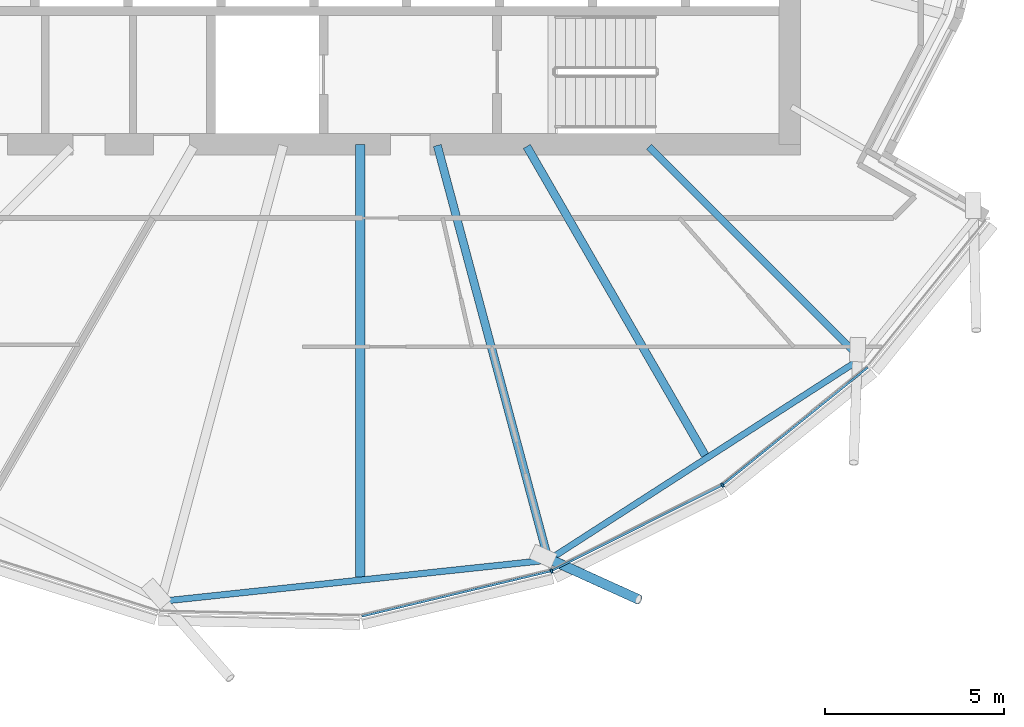
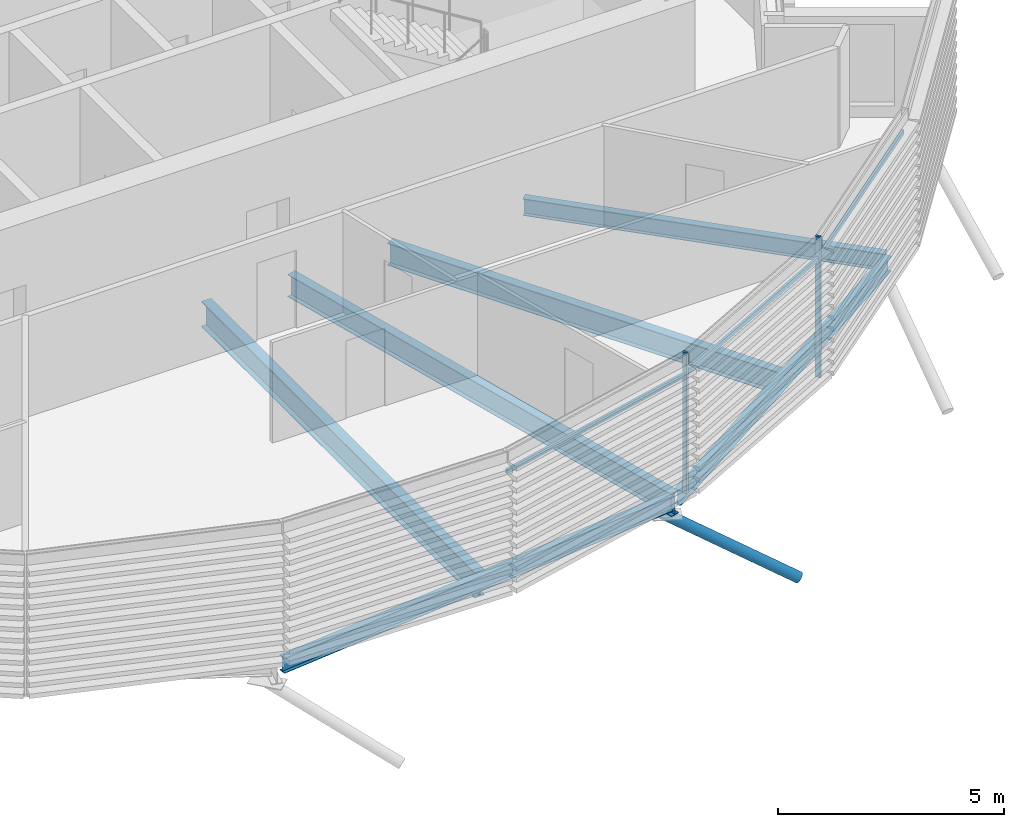
# One storey, part 13 of 37: 6 beams, 6 members, 1 element without a shape of its own.
"""IFC4 building model written with IfcOpenShell, lengths in metres."""

import ifcopenshell
import ifcopenshell.guid

model = None  # the IFC model being written
_history = None  # IfcOwnerHistory: only IFC2X3 demands one
_inside = {}  # id of a spatial element -> (the spatial element, [elements in it])
_under = {}  # id of a project, library or spatial element -> (it, [spatial elements below it])
_declared = {}  # id of a project -> (the project, [libraries it declares])
_typed = {}  # id of a type object -> (the type object, [elements of that type])
_made_of = {}  # id of a material, layer set ... -> (it, [elements and type objects made of it])


def new_model(schema):
    """Start an empty IFC model of exactly this schema.

    Asked for "IFC4X3", IfcOpenShell would pick the latest addendum, in which some entities
    have other attributes; the version numbers below select the first issue.
    IFC2X3 requires an IfcOwnerHistory on every rooted entity: one is made here for all.
    """
    global model, _history
    if schema == "IFC4X3":
        model = ifcopenshell.file(schema_version=(4, 3, 0, 0))
    else:
        model = ifcopenshell.file(schema=schema)
    _inside.clear()
    _under.clear()
    _declared.clear()
    _typed.clear()
    _made_of.clear()
    _history = None
    if model.schema == "IFC2X3":
        org = make("IfcOrganization", Name="unknown")
        user = make(
            "IfcPersonAndOrganization",
            ThePerson=make("IfcPerson", FamilyName="unknown"),
            TheOrganization=org,
        )
        app = make(
            "IfcApplication",
            ApplicationDeveloper=org,
            Version="unknown",
            ApplicationFullName="unknown",
            ApplicationIdentifier="unknown",
        )
        _history = make(
            "IfcOwnerHistory",
            OwningUser=user,
            OwningApplication=app,
            ChangeAction="ADDED",
            CreationDate=0,
        )
    return model


def make(cls, **values):
    """One entity of the class cls with the attributes given. An attribute that is None is left unset."""
    return model.create_entity(
        cls, **{name: value for name, value in values.items() if value is not None}
    )


def rooted(cls, **values):
    """An entity with a GlobalId (a new one), such as an element, a storey or a relation."""
    return make(cls, GlobalId=ifcopenshell.guid.new(), OwnerHistory=_history, **values)


def si_unit(unit_type, name, prefix=None):
    """IfcSIUnit, for example si_unit("LENGTHUNIT", "METRE", prefix="MILLI")."""
    return make("IfcSIUnit", UnitType=unit_type, Prefix=prefix, Name=name)


def assignment(units):
    """IfcUnitAssignment: the units of a project."""
    return None if units is None else make("IfcUnitAssignment", Units=units)


def point(xyz):
    """IfcCartesianPoint."""
    return None if xyz is None else make("IfcCartesianPoint", Coordinates=xyz)


def direction(xyz):
    """IfcDirection."""
    return None if xyz is None else make("IfcDirection", DirectionRatios=xyz)


def frame(location, z_axis=None, x_axis=None):
    """IfcAxis2Placement3D, a coordinate frame: its origin and axes. An axis left out is left unset."""
    return make(
        "IfcAxis2Placement3D",
        Location=point(location),
        Axis=direction(z_axis),
        RefDirection=direction(x_axis),
    )


def frame_2d(location, x_axis=None):
    """IfcAxis2Placement2D, a coordinate frame in the plane: its origin and x axis."""
    return make(
        "IfcAxis2Placement2D", Location=point(location), RefDirection=direction(x_axis)
    )


def origin():
    """The frame at (0, 0, 0) with its axes left unset."""
    return frame((0.0, 0.0, 0.0))


def origin_2d():
    """The frame at (0, 0) in the plane with its x axis left unset."""
    return frame_2d((0.0, 0.0))


def place(relative_to, where):
    """IfcLocalPlacement: puts the frame where relative to a parent placement (None: the world)."""
    return make(
        "IfcLocalPlacement", PlacementRelTo=relative_to, RelativePlacement=where
    )


def context(
    kind, dimensions, precision=None, world=None, true_north=None, identifier=None
):
    """IfcGeometricRepresentationContext, for example the 3D "Model" context."""
    return make(
        "IfcGeometricRepresentationContext",
        ContextIdentifier=identifier,
        ContextType=kind,
        CoordinateSpaceDimension=dimensions,
        Precision=precision,
        WorldCoordinateSystem=world,
        TrueNorth=true_north,
    )


def subcontext(parent, identifier, kind, view, scale=None):
    """IfcGeometricRepresentationSubContext, for example "Body" below "Model"."""
    return make(
        "IfcGeometricRepresentationSubContext",
        ContextIdentifier=identifier,
        ContextType=kind,
        ParentContext=parent,
        TargetScale=scale,
        TargetView=view,
    )


def project(units=None, contexts=None):
    """IfcProject with its units and contexts."""
    return rooted(
        "IfcProject",
        Name="project",
        RepresentationContexts=contexts,
        UnitsInContext=assignment(units),
    )


def spatial(cls, under=None, at=None, **own):
    """A site, building, storey or space (cls), placed at a placement, below another one or the project."""
    s = rooted(cls, ObjectPlacement=at, **own)
    if under is not None:
        _under.setdefault(under.id(), (under, []))[1].append(s)
    return s


def profile(cls, at=None, kind="AREA", **sizes):
    """A parametric profile (cls). Its sizes go by their IFC names, for example OverallWidth=200.0."""
    return make(cls, ProfileType=kind, Position=at, **sizes)


def rectangle(**sizes):
    """IfcRectangleProfileDef."""
    return profile("IfcRectangleProfileDef", **sizes)


def hollow_circle(**sizes):
    """IfcCircleHollowProfileDef."""
    return profile("IfcCircleHollowProfileDef", **sizes)


def i_section(**sizes):
    """IfcIShapeProfileDef."""
    return profile("IfcIShapeProfileDef", **sizes)


def extrude(swept, where, along, depth):
    """IfcExtrudedAreaSolid: the profile swept, set in the frame where, extruded along a direction by depth."""
    return make(
        "IfcExtrudedAreaSolid",
        SweptArea=swept,
        Position=where,
        ExtrudedDirection=direction(along),
        Depth=depth,
    )


def clip(a, b, op="DIFFERENCE"):
    """IfcBooleanClippingResult: the solid a cut by the half space b."""
    return make(
        "IfcBooleanClippingResult", Operator=op, FirstOperand=a, SecondOperand=b
    )


def halfspace(plane, agree):
    """IfcHalfSpaceSolid: all space on one side of the plane z = 0 of the frame plane."""
    return make(
        "IfcHalfSpaceSolid",
        BaseSurface=make("IfcPlane", Position=plane),
        AgreementFlag=agree,
    )


def shape(context_of_items, identifier, shape_type, items):
    """IfcShapeRepresentation: the items that make up one representation, for example the "Body"."""
    return make(
        "IfcShapeRepresentation",
        ContextOfItems=context_of_items,
        RepresentationIdentifier=identifier,
        RepresentationType=shape_type,
        Items=items,
    )


def material(Name=None, Category=None):
    """IfcMaterial."""
    return make("IfcMaterial", Name=Name, Category=Category)


def material_profile(
    of_material, cross_section, Name=None, Category=None, Priority=None
):
    """IfcMaterialProfile: a cross section and its material."""
    return make(
        "IfcMaterialProfile",
        Name=Name,
        Material=of_material,
        Profile=cross_section,
        Priority=Priority,
        Category=Category,
    )


def profile_set(profiles, Name=None, composite=None):
    """IfcMaterialProfileSet."""
    return make(
        "IfcMaterialProfileSet",
        Name=Name,
        MaterialProfiles=profiles,
        CompositeProfile=composite,
    )


def made_of(thing, what):
    """Note that an element or type object is made of a material, layer set ...; save() writes the relation."""
    if what is not None:
        _made_of.setdefault(what.id(), (what, []))[1].append(thing)
    return thing


def type_object(cls, material=None, **own):
    """A type object (cls), such as IfcWallType, which elements share."""
    return made_of(rooted(cls, **own), material)


def element(
    cls,
    number,
    at=None,
    inside=None,
    cuts=None,
    type_object=None,
    material=None,
    context=None,
    identifier="Body",
    shape_type=None,
    held_by="IfcProductDefinitionShape",
    body=None,
    shapes=None,
    **own,
):
    """One element of the class cls, such as IfcWall. Its Tag is "e" and its number.

    at: its placement. inside: the storey or other place that contains it. cuts: it is an
    opening in that element (IfcRelVoidsElement). A single representation is given by context,
    identifier, shape_type and body (its items); several are given by shapes. held_by: the class
    of the entity that holds the representations. save() writes the other relations.
    """
    e = rooted(cls, Tag="e%d" % number, ObjectPlacement=at, **own)
    if body is not None:
        shapes = [shape(context, identifier, shape_type, body)]
    if shapes is not None:
        e.Representation = make(held_by, Representations=shapes)
    if inside is not None:
        _inside.setdefault(inside.id(), (inside, []))[1].append(e)
    if cuts is not None:
        rooted(
            "IfcRelVoidsElement", RelatingBuildingElement=cuts, RelatedOpeningElement=e
        )
    if type_object is not None:
        _typed.setdefault(type_object.id(), (type_object, []))[1].append(e)
    return made_of(e, material)


def aggregate(whole, parts):
    """IfcRelAggregates: a whole, such as a stair, and the parts it consists of."""
    return rooted("IfcRelAggregates", RelatingObject=whole, RelatedObjects=parts)


def save(model, path):
    """Write the relations noted so far, then the file.

    IfcRelAggregates (storeys below a building ...), IfcRelContainedInSpatialStructure (elements
    in a storey), IfcRelDefinesByType, IfcRelAssociatesMaterial and IfcRelDeclares: one each for
    every whole, place, type object, material and project.
    """
    for whole, parts in _under.values():
        aggregate(whole, parts)
    for where, things in _inside.values():
        rooted(
            "IfcRelContainedInSpatialStructure",
            RelatedElements=things,
            RelatingStructure=where,
        )
    for kind, things in _typed.values():
        rooted("IfcRelDefinesByType", RelatedObjects=things, RelatingType=kind)
    for what, things in _made_of.values():
        rooted("IfcRelAssociatesMaterial", RelatedObjects=things, RelatingMaterial=what)
    for by, libraries in _declared.values():
        rooted("IfcRelDeclares", RelatingContext=by, RelatedDefinitions=libraries)
    model.write(path)


model = new_model("IFC4")

# Units and contexts
model_context = context("Model", 3, precision=1e-05, world=origin(), true_north=direction((0.0, 1.0)))
body_context = subcontext(model_context, "Body", "Model", "MODEL_VIEW")
ifc_project = project(units=[si_unit("LENGTHUNIT", "METRE"), si_unit("AREAUNIT", "SQUARE_METRE"), si_unit("VOLUMEUNIT", "CUBIC_METRE"), si_unit("PLANEANGLEUNIT", "RADIAN"), si_unit("MASSUNIT", "GRAM", prefix="KILO")], contexts=[model_context])

# Site, building, storey
site_placement = place(None, origin())
site = spatial("IfcSite", under=ifc_project, at=site_placement, CompositionType="ELEMENT")
building_placement = place(site_placement, origin())
building = spatial("IfcBuilding", under=site, at=building_placement, Name="Rimbun Link Towers", CompositionType="ELEMENT")
storey_placement = place(building_placement, frame((0.0, 0.0, 166.5)))
storey = spatial("IfcBuildingStorey", under=building, at=storey_placement, Name="L40", CompositionType="ELEMENT", Elevation=166.5)

# Curtain wall, members
ifc_material_1 = material(Name="Aluminium 6063-T6 and low-iron glass", Category="aluminium")
curtain_wall_type = type_object("IfcCurtainWallType", Name="CW1-Z3 unitised vision wall (zone 3)", PredefinedType="NOTDEFINED", material=ifc_material_1)
curtain_wall_placement = place(storey_placement, origin())
curtain_wall = element("IfcCurtainWall", 1, at=curtain_wall_placement, inside=storey, type_object=curtain_wall_type, Name="CW1 L40 T2", PredefinedType="NOTDEFINED")
ifc_material_2 = material(Name="Aluminium 6063-T6", Category="aluminium")
ifc_material_profile_1 = material_profile(ifc_material_2, rectangle(XDim=0.1201171875, YDim=0.06005859375, at=origin_2d()), Name="MULLION 60X120")
ifc_profile_set_1 = profile_set([ifc_material_profile_1], Name="Aluminium 6063-T6")
member_type_1 = type_object("IfcMemberType", Name="CW1 mullion 60X120", PredefinedType="MULLION", material=ifc_profile_set_1)
member_1_placement = place(storey_placement, frame((37.091796875, -19.915771484375, 0.0), z_axis=(0.0, 0.0, 1.0), x_axis=(0.342965997761, -0.939347818638, 0.0)))
member_1 = element("IfcMember", 2, at=member_1_placement, type_object=member_type_1, Name="CW1 mullion", PredefinedType="MULLION", context=body_context, shape_type="SweptSolid", body=[
    extrude(rectangle(XDim=0.1201171875, YDim=0.06005859375, at=origin_2d()), origin(), (0.0, 0.0, 1.0), 3.800048828125),
])
member_2_placement = place(storey_placement, frame((41.867431640625, -17.517822265625, 0.0), z_axis=(0.0, 0.0, 1.0), x_axis=(0.542099635168, -0.840314218344, 0.0)))
member_2 = element("IfcMember", 3, at=member_2_placement, type_object=member_type_1, Name="CW1 mullion", PredefinedType="MULLION", context=body_context, shape_type="SweptSolid", body=[
    extrude(rectangle(XDim=0.1201171875, YDim=0.06005859375, at=origin_2d()), origin(), (0.0, 0.0, 1.0), 3.800048828125),
])
ifc_material_3 = material(Name="Aluminium 6063-T6", Category="aluminium")
ifc_material_profile_2 = material_profile(ifc_material_3, rectangle(XDim=0.06005859375, YDim=0.1201171875, at=origin_2d()), Name="TRANSOM 60X120")
ifc_profile_set_2 = profile_set([ifc_material_profile_2], Name="Aluminium 6063-T6")
member_type_2 = type_object("IfcMemberType", Name="CW1 transom 60X120", PredefinedType="USERDEFINED", material=ifc_profile_set_2)
member_3_placement = place(storey_placement, frame((37.0556640625, -19.9228515625, 3.199951171875), z_axis=(-0.972568019969, -0.232618671938, 0.0), x_axis=(0.232618671938, -0.972568019969, 0.0)))
member_3 = element("IfcMember", 4, at=member_3_placement, type_object=member_type_2, Name="CW1 transom", ObjectType="TRANSOM", PredefinedType="USERDEFINED", context=body_context, shape_type="SweptSolid", body=[
    extrude(rectangle(XDim=0.06005859375, YDim=0.1201171875, at=origin_2d()), origin(), (0.0, 0.0, 1.0), 5.411376953125),
])
member_4_placement = place(storey_placement, frame((41.833984375, -17.53271484375, 3.199951171875), z_axis=(-0.893647624067, -0.448769343871, 0.0), x_axis=(0.448769343871, -0.893647624067, 0.0)))
member_4 = element("IfcMember", 5, at=member_4_placement, type_object=member_type_2, Name="CW1 transom", ObjectType="TRANSOM", PredefinedType="USERDEFINED", context=body_context, shape_type="SweptSolid", body=[
    extrude(rectangle(XDim=0.06005859375, YDim=0.1201171875, at=origin_2d()), origin(), (0.0, 0.0, 1.0), 5.2705078125),
])
member_5_placement = place(storey_placement, frame((45.927978515625, -14.228759765625, 3.199951171875), z_axis=(-0.77727116505, -0.629165746033, 0.0), x_axis=(0.629165746033, -0.77727116505, 0.0)))
member_5 = element("IfcMember", 6, at=member_5_placement, type_object=member_type_2, Name="CW1 transom", ObjectType="TRANSOM", PredefinedType="USERDEFINED", context=body_context, shape_type="SweptSolid", body=[
    extrude(rectangle(XDim=0.06005859375, YDim=0.1201171875, at=origin_2d()), origin(), (0.0, 0.0, 1.0), 5.189208984375),
])
aggregate(curtain_wall, [member_1, member_2, member_3, member_4, member_5])

# Member
ifc_material_4 = material(Name="Steel S355J2H", Category="steel")
ifc_material_profile_3 = material_profile(ifc_material_4, hollow_circle(Radius=0.136474609375, WallThickness=0.012451171875, at=origin_2d()), Name="CHS 273x12.5")
ifc_profile_set_3 = profile_set([ifc_material_profile_3], Name="Steel S355J2H")
member_type_3 = type_object("IfcMemberType", Name="Floor edge link CHS 273x12.5", PredefinedType="BRACE", material=ifc_profile_set_3)
member_6_placement = place(storey_placement, frame((36.9921875, -19.564697265625, -0.867431640625), z_axis=(0.766236133686, -0.347438931161, -0.540526018381), x_axis=(0.412965241612, 0.910746786555, 0.0)))
element("IfcMember", 7, at=member_6_placement, inside=storey, type_object=member_type_3, Name="Floor edge link T2 L40 16", PredefinedType="BRACE", context=body_context, shape_type="Clipping", body=[
    clip(extrude(hollow_circle(Radius=0.136474609375, WallThickness=0.012451171875, at=origin_2d()), frame((0.0, 0.0, -0.443359375)), (0.0, 0.0, 1.0), 3.7587890625), halfspace(frame((0.0, 0.0, -0.208740234375), z_axis=(0.0, 0.84132729865, -0.540526018381)), False)),
])

# Beams
ifc_material_5 = material(Name="Steel S355J2", Category="steel")
ifc_material_profile_4 = material_profile(ifc_material_5, i_section(OverallWidth=0.177978515625, OverallDepth=0.406494140625, WebThickness=0.0078125, FlangeThickness=0.0126953125, at=origin_2d()), Name="UB 406x178x60")
ifc_profile_set_4 = profile_set([ifc_material_profile_4], Name="Steel S355J2")
beam_type_1 = type_object("IfcBeamType", Name="UB 406x178x60", PredefinedType="BEAM", material=ifc_profile_set_4)
beam_1_placement = place(storey_placement, frame((26.322265625, -20.75048828125, -0.353271484375), z_axis=(0.994378470581, 0.105884168998, 0.0), x_axis=(-0.105884168998, 0.994378470581, 0.0)))
element("IfcBeam", 8, at=beam_1_placement, inside=storey, type_object=beam_type_1, Name="Edge beam T2 L40 14-16", PredefinedType="BEAM", context=body_context, shape_type="SweptSolid", body=[
    extrude(i_section(OverallWidth=0.177978515625, OverallDepth=0.406494140625, WebThickness=0.0078125, FlangeThickness=0.0126953125, at=origin_2d()), origin(), (0.0, 0.0, 1.0), 10.627197265625),
])
beam_2_placement = place(storey_placement, frame((37.106689453125, -19.547607421875, -0.353271484375), z_axis=(0.840628851377, 0.541611608288, 0.0), x_axis=(-0.541611608288, 0.840628851377, 0.0)))
element("IfcBeam", 9, at=beam_2_placement, inside=storey, type_object=beam_type_1, Name="Edge beam T2 L40 16-18", PredefinedType="BEAM", context=body_context, shape_type="SweptSolid", body=[
    extrude(i_section(OverallWidth=0.177978515625, OverallDepth=0.406494140625, WebThickness=0.0078125, FlangeThickness=0.0126953125, at=origin_2d()), origin(), (0.0, 0.0, 1.0), 10.16845703125),
])
ifc_material_6 = material(Name="Steel S355J2", Category="steel")
ifc_material_profile_5 = material_profile(ifc_material_6, i_section(OverallWidth=0.18994140625, OverallDepth=0.453369140625, WebThickness=0.008544921875, FlangeThickness=0.0126953125, at=origin_2d()), Name="UB 457x191x67")
ifc_profile_set_5 = profile_set([ifc_material_profile_5], Name="Steel S355J2")
beam_type_2 = type_object("IfcBeamType", Name="UB 457x191x67", PredefinedType="BEAM", material=ifc_profile_set_5)
beam_3_placement = place(storey_placement, frame((39.81787109375, -8.06787109375, -0.376708984375), z_axis=(0.707106781187, -0.707106781187, 0.0), x_axis=(0.707106781187, 0.707106781187, 0.0)))
element("IfcBeam", 10, at=beam_3_placement, inside=storey, type_object=beam_type_2, Name="Radial beam T2 L40 18", PredefinedType="BEAM", context=body_context, shape_type="SweptSolid", body=[
    extrude(i_section(OverallWidth=0.18994140625, OverallDepth=0.453369140625, WebThickness=0.008544921875, FlangeThickness=0.0126953125, at=origin_2d()), origin(), (0.0, 0.0, 1.0), 8.280517578125),
])
ifc_material_7 = material(Name="Steel S355J2", Category="steel")
ifc_material_profile_6 = material_profile(ifc_material_7, i_section(OverallWidth=0.2275390625, OverallDepth=0.6025390625, WebThickness=0.010498046875, FlangeThickness=0.014892578125, at=origin_2d()), Name="UB 610x229x101")
ifc_profile_set_6 = profile_set([ifc_material_profile_6], Name="Steel S355J2")
beam_type_3 = type_object("IfcBeamType", Name="UB 610x229x101", PredefinedType="BEAM", material=ifc_profile_set_6)
beam_4_placement = place(storey_placement, frame((33.901611328125, -8.030517578125, -0.451416015625), z_axis=(0.258842265684, -0.965919604054, 0.0), x_axis=(0.965919604054, 0.258842265684, 0.0)))
element("IfcBeam", 11, at=beam_4_placement, inside=storey, type_object=beam_type_3, Name="Radial beam T2 L40 16", PredefinedType="BEAM", context=body_context, shape_type="SweptSolid", body=[
    extrude(i_section(OverallWidth=0.2275390625, OverallDepth=0.6025390625, WebThickness=0.010498046875, FlangeThickness=0.014892578125, at=origin_2d()), origin(), (0.0, 0.0, 1.0), 11.990966796875),
])
beam_5_placement = place(storey_placement, frame((36.402099609375, -8.057861328125, -0.451416015625), z_axis=(0.500010957915, -0.866019077137, 0.0), x_axis=(0.866019077137, 0.500010957915, 0.0)))
element("IfcBeam", 12, at=beam_5_placement, inside=storey, type_object=beam_type_3, Name="Radial beam T2 L40 17", PredefinedType="BEAM", context=body_context, shape_type="SweptSolid", body=[
    extrude(i_section(OverallWidth=0.2275390625, OverallDepth=0.6025390625, WebThickness=0.010498046875, FlangeThickness=0.014892578125, at=origin_2d()), origin(), (0.0, 0.0, 1.0), 9.962158203125),
])
ifc_material_8 = material(Name="Steel S355J2", Category="steel")
ifc_material_profile_7 = material_profile(ifc_material_8, i_section(OverallWidth=0.253662109375, OverallDepth=0.68359375, WebThickness=0.012451171875, FlangeThickness=0.01904296875, at=origin_2d()), Name="UB 686x254x140")
ifc_profile_set_7 = profile_set([ifc_material_profile_7], Name="Steel S355J2")
beam_type_4 = type_object("IfcBeamType", Name="UB 686x254x140", PredefinedType="BEAM", material=ifc_profile_set_7)
beam_6_placement = place(storey_placement, frame((31.75, -8.0009765625, -0.49169921875), z_axis=(0.0, -1.0, 0.0), x_axis=(1.0, 0.0, 0.0)))
element("IfcBeam", 13, at=beam_6_placement, inside=storey, type_object=beam_type_4, Name="Radial beam T2 L40 15", PredefinedType="BEAM", context=body_context, shape_type="SweptSolid", body=[
    extrude(i_section(OverallWidth=0.253662109375, OverallDepth=0.68359375, WebThickness=0.012451171875, FlangeThickness=0.01904296875, at=origin_2d()), origin(), (0.0, 0.0, 1.0), 12.0810546875),
])

save(model, "model.ifc")
